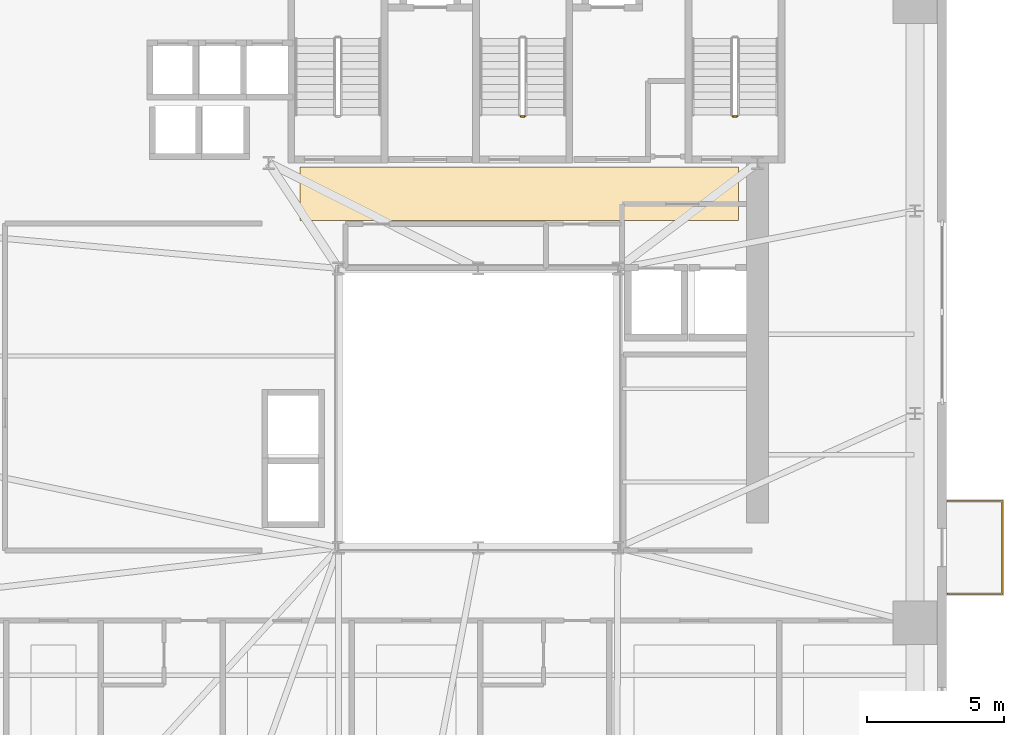
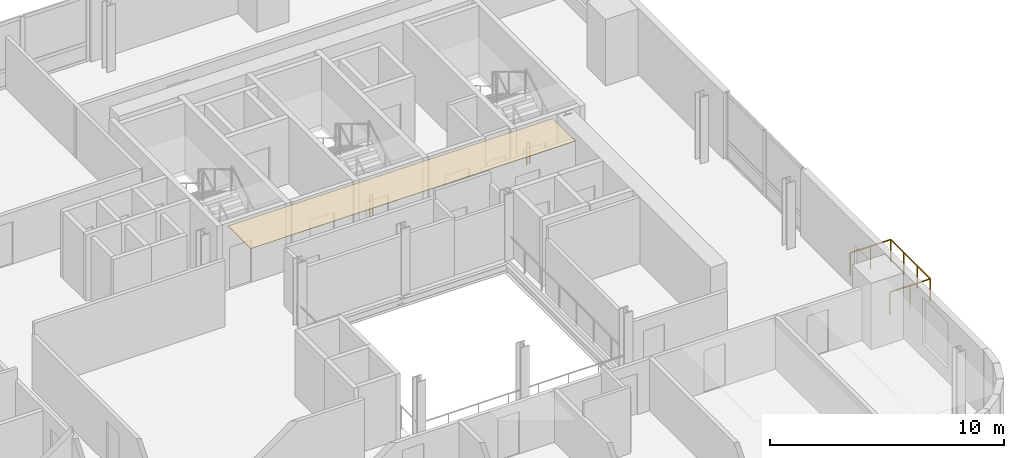
# One storey, part 12 of 14: 3 railings, 1 covering.
"""IFC4 building model written with IfcOpenShell, lengths in metres."""

import ifcopenshell
import ifcopenshell.guid

model = None  # the IFC model being written
_history = None  # IfcOwnerHistory: only IFC2X3 demands one
_inside = {}  # id of a spatial element -> (the spatial element, [elements in it])
_under = {}  # id of a project, library or spatial element -> (it, [spatial elements below it])
_declared = {}  # id of a project -> (the project, [libraries it declares])
_typed = {}  # id of a type object -> (the type object, [elements of that type])
_made_of = {}  # id of a material, layer set ... -> (it, [elements and type objects made of it])


def new_model(schema):
    """Start an empty IFC model of exactly this schema.

    Asked for "IFC4X3", IfcOpenShell would pick the latest addendum, in which some entities
    have other attributes; the version numbers below select the first issue.
    IFC2X3 requires an IfcOwnerHistory on every rooted entity: one is made here for all.
    """
    global model, _history
    if schema == "IFC4X3":
        model = ifcopenshell.file(schema_version=(4, 3, 0, 0))
    else:
        model = ifcopenshell.file(schema=schema)
    _inside.clear()
    _under.clear()
    _declared.clear()
    _typed.clear()
    _made_of.clear()
    _history = None
    if model.schema == "IFC2X3":
        org = make("IfcOrganization", Name="unknown")
        user = make(
            "IfcPersonAndOrganization",
            ThePerson=make("IfcPerson", FamilyName="unknown"),
            TheOrganization=org,
        )
        app = make(
            "IfcApplication",
            ApplicationDeveloper=org,
            Version="unknown",
            ApplicationFullName="unknown",
            ApplicationIdentifier="unknown",
        )
        _history = make(
            "IfcOwnerHistory",
            OwningUser=user,
            OwningApplication=app,
            ChangeAction="ADDED",
            CreationDate=0,
        )
    return model


def make(cls, **values):
    """One entity of the class cls with the attributes given. An attribute that is None is left unset."""
    return model.create_entity(
        cls, **{name: value for name, value in values.items() if value is not None}
    )


def rooted(cls, **values):
    """An entity with a GlobalId (a new one), such as an element, a storey or a relation."""
    return make(cls, GlobalId=ifcopenshell.guid.new(), OwnerHistory=_history, **values)


def si_unit(unit_type, name, prefix=None):
    """IfcSIUnit, for example si_unit("LENGTHUNIT", "METRE", prefix="MILLI")."""
    return make("IfcSIUnit", UnitType=unit_type, Prefix=prefix, Name=name)


def assignment(units):
    """IfcUnitAssignment: the units of a project."""
    return None if units is None else make("IfcUnitAssignment", Units=units)


def point(xyz):
    """IfcCartesianPoint."""
    return None if xyz is None else make("IfcCartesianPoint", Coordinates=xyz)


def direction(xyz):
    """IfcDirection."""
    return None if xyz is None else make("IfcDirection", DirectionRatios=xyz)


def frame(location, z_axis=None, x_axis=None):
    """IfcAxis2Placement3D, a coordinate frame: its origin and axes. An axis left out is left unset."""
    return make(
        "IfcAxis2Placement3D",
        Location=point(location),
        Axis=direction(z_axis),
        RefDirection=direction(x_axis),
    )


def frame_2d(location, x_axis=None):
    """IfcAxis2Placement2D, a coordinate frame in the plane: its origin and x axis."""
    return make(
        "IfcAxis2Placement2D", Location=point(location), RefDirection=direction(x_axis)
    )


def origin():
    """The frame at (0, 0, 0) with its axes left unset."""
    return frame((0.0, 0.0, 0.0))


def origin_2d():
    """The frame at (0, 0) in the plane with its x axis left unset."""
    return frame_2d((0.0, 0.0))


def place(relative_to, where):
    """IfcLocalPlacement: puts the frame where relative to a parent placement (None: the world)."""
    return make(
        "IfcLocalPlacement", PlacementRelTo=relative_to, RelativePlacement=where
    )


def context(
    kind, dimensions, precision=None, world=None, true_north=None, identifier=None
):
    """IfcGeometricRepresentationContext, for example the 3D "Model" context."""
    return make(
        "IfcGeometricRepresentationContext",
        ContextIdentifier=identifier,
        ContextType=kind,
        CoordinateSpaceDimension=dimensions,
        Precision=precision,
        WorldCoordinateSystem=world,
        TrueNorth=true_north,
    )


def subcontext(parent, identifier, kind, view, scale=None):
    """IfcGeometricRepresentationSubContext, for example "Body" below "Model"."""
    return make(
        "IfcGeometricRepresentationSubContext",
        ContextIdentifier=identifier,
        ContextType=kind,
        ParentContext=parent,
        TargetScale=scale,
        TargetView=view,
    )


def project(units=None, contexts=None):
    """IfcProject with its units and contexts."""
    return rooted(
        "IfcProject",
        Name="project",
        RepresentationContexts=contexts,
        UnitsInContext=assignment(units),
    )


def spatial(cls, under=None, at=None, **own):
    """A site, building, storey or space (cls), placed at a placement, below another one or the project."""
    s = rooted(cls, ObjectPlacement=at, **own)
    if under is not None:
        _under.setdefault(under.id(), (under, []))[1].append(s)
    return s


def polyline(points):
    """IfcPolyline through the points."""
    return make("IfcPolyline", Points=[point(p) for p in points])


def profile(cls, at=None, kind="AREA", **sizes):
    """A parametric profile (cls). Its sizes go by their IFC names, for example OverallWidth=200.0."""
    return make(cls, ProfileType=kind, Position=at, **sizes)


def rectangle(**sizes):
    """IfcRectangleProfileDef."""
    return profile("IfcRectangleProfileDef", **sizes)


def outline(outer, holes=None, kind="AREA"):
    """IfcArbitraryClosedProfileDef: a profile drawn as a closed curve; with holes, ...WithVoids."""
    if holes is None:
        return make("IfcArbitraryClosedProfileDef", ProfileType=kind, OuterCurve=outer)
    return make(
        "IfcArbitraryProfileDefWithVoids",
        ProfileType=kind,
        OuterCurve=outer,
        InnerCurves=holes,
    )


def extrude(swept, where, along, depth):
    """IfcExtrudedAreaSolid: the profile swept, set in the frame where, extruded along a direction by depth."""
    return make(
        "IfcExtrudedAreaSolid",
        SweptArea=swept,
        Position=where,
        ExtrudedDirection=direction(along),
        Depth=depth,
    )


def shape(context_of_items, identifier, shape_type, items):
    """IfcShapeRepresentation: the items that make up one representation, for example the "Body"."""
    return make(
        "IfcShapeRepresentation",
        ContextOfItems=context_of_items,
        RepresentationIdentifier=identifier,
        RepresentationType=shape_type,
        Items=items,
    )


def source(mapping_origin, context_of_items, identifier, shape_type, items):
    """IfcRepresentationMap: a shape defined once, which mapped items show again and again."""
    return make(
        "IfcRepresentationMap",
        MappingOrigin=mapping_origin,
        MappedRepresentation=shape(context_of_items, identifier, shape_type, items),
    )


def transform(
    local_origin,
    x_axis=None,
    y_axis=None,
    z_axis=None,
    scale=None,
    scale2=None,
    scale3=None,
    uniform=True,
):
    """IfcCartesianTransformationOperator3D, or its non-uniform kind. x_axis, y_axis, z_axis: its Axis1, 2, 3."""
    if uniform:
        return make(
            "IfcCartesianTransformationOperator3D",
            Axis1=direction(x_axis),
            Axis2=direction(y_axis),
            LocalOrigin=point(local_origin),
            Scale=scale,
            Axis3=direction(z_axis),
        )
    return make(
        "IfcCartesianTransformationOperator3DnonUniform",
        Axis1=direction(x_axis),
        Axis2=direction(y_axis),
        LocalOrigin=point(local_origin),
        Scale=scale,
        Axis3=direction(z_axis),
        Scale2=scale2,
        Scale3=scale3,
    )


def mapped(mapping_source, mapping_target):
    """IfcMappedItem: shows the shape of a source again, moved by a transform."""
    return make(
        "IfcMappedItem", MappingSource=mapping_source, MappingTarget=mapping_target
    )


def material(Name=None, Category=None):
    """IfcMaterial."""
    return make("IfcMaterial", Name=Name, Category=Category)


def layer(
    of_material, thickness, ventilated=None, Name=None, Category=None, Priority=None
):
    """IfcMaterialLayer: one layer of a wall or slab, of a material (None: an air gap)."""
    return make(
        "IfcMaterialLayer",
        Material=of_material,
        LayerThickness=thickness,
        IsVentilated=ventilated,
        Name=Name,
        Category=Category,
        Priority=Priority,
    )


def layer_set(layers, Name=None):
    """IfcMaterialLayerSet."""
    return make("IfcMaterialLayerSet", MaterialLayers=layers, LayerSetName=Name)


def made_of(thing, what):
    """Note that an element or type object is made of a material, layer set ...; save() writes the relation."""
    if what is not None:
        _made_of.setdefault(what.id(), (what, []))[1].append(thing)
    return thing


def type_object(cls, material=None, **own):
    """A type object (cls), such as IfcWallType, which elements share."""
    return made_of(rooted(cls, **own), material)


def element(
    cls,
    number,
    at=None,
    inside=None,
    cuts=None,
    type_object=None,
    material=None,
    context=None,
    identifier="Body",
    shape_type=None,
    held_by="IfcProductDefinitionShape",
    body=None,
    shapes=None,
    **own,
):
    """One element of the class cls, such as IfcWall. Its Tag is "e" and its number.

    at: its placement. inside: the storey or other place that contains it. cuts: it is an
    opening in that element (IfcRelVoidsElement). A single representation is given by context,
    identifier, shape_type and body (its items); several are given by shapes. held_by: the class
    of the entity that holds the representations. save() writes the other relations.
    """
    e = rooted(cls, Tag="e%d" % number, ObjectPlacement=at, **own)
    if body is not None:
        shapes = [shape(context, identifier, shape_type, body)]
    if shapes is not None:
        e.Representation = make(held_by, Representations=shapes)
    if inside is not None:
        _inside.setdefault(inside.id(), (inside, []))[1].append(e)
    if cuts is not None:
        rooted(
            "IfcRelVoidsElement", RelatingBuildingElement=cuts, RelatedOpeningElement=e
        )
    if type_object is not None:
        _typed.setdefault(type_object.id(), (type_object, []))[1].append(e)
    return made_of(e, material)


def aggregate(whole, parts):
    """IfcRelAggregates: a whole, such as a stair, and the parts it consists of."""
    return rooted("IfcRelAggregates", RelatingObject=whole, RelatedObjects=parts)


def save(model, path):
    """Write the relations noted so far, then the file.

    IfcRelAggregates (storeys below a building ...), IfcRelContainedInSpatialStructure (elements
    in a storey), IfcRelDefinesByType, IfcRelAssociatesMaterial and IfcRelDeclares: one each for
    every whole, place, type object, material and project.
    """
    for whole, parts in _under.values():
        aggregate(whole, parts)
    for where, things in _inside.values():
        rooted(
            "IfcRelContainedInSpatialStructure",
            RelatedElements=things,
            RelatingStructure=where,
        )
    for kind, things in _typed.values():
        rooted("IfcRelDefinesByType", RelatedObjects=things, RelatingType=kind)
    for what, things in _made_of.values():
        rooted("IfcRelAssociatesMaterial", RelatedObjects=things, RelatingMaterial=what)
    for by, libraries in _declared.values():
        rooted("IfcRelDeclares", RelatingContext=by, RelatedDefinitions=libraries)
    model.write(path)


model = new_model("IFC4")

# Units and contexts
model_context = context("Model", 3, precision=1e-05, world=origin(), true_north=direction((0.0, 1.0)))
body_context = subcontext(model_context, "Body", "Model", "MODEL_VIEW")
ifc_project = project(units=[si_unit("LENGTHUNIT", "METRE"), si_unit("AREAUNIT", "SQUARE_METRE"), si_unit("VOLUMEUNIT", "CUBIC_METRE"), si_unit("PLANEANGLEUNIT", "RADIAN"), si_unit("MASSUNIT", "GRAM", prefix="KILO")], contexts=[model_context])

# Site, building, storey
site_placement = place(None, origin())
site = spatial("IfcSite", under=ifc_project, at=site_placement, CompositionType="ELEMENT")
building_placement = place(site_placement, origin())
building = spatial("IfcBuilding", under=site, at=building_placement, Name="Vardaveli Station Tower", CompositionType="ELEMENT")
storey_placement = place(building_placement, frame((0.0, 0.0, 152.0)))
storey = spatial("IfcBuildingStorey", under=building, at=storey_placement, Name="L39", CompositionType="ELEMENT", Elevation=152.0)

# Covering
ifc_material_1 = material(Name="Perforated acoustic mineral ceiling")
ifc_layer = layer(ifc_material_1, 0.02001953125, Name="Perforated acoustic mineral ceiling")
ifc_layer_set = layer_set([ifc_layer], Name="Perforated acoustic mineral ceiling")
covering_type = type_object("IfcCoveringType", Name="COV-CEIL-AC20", PredefinedType="CEILING", material=ifc_layer_set)
covering_placement = place(storey_placement, frame((0.0, 0.0, 3.445068359375)))
element("IfcCovering", 1, at=covering_placement, inside=storey, type_object=covering_type, Name="CEIL-L39-7", PredefinedType="CEILING", context=body_context, shape_type="SweptSolid", body=[
    extrude(outline(polyline([(29.800048828125, 28.550048828125), (45.800048828125, 28.550048828125), (45.800048828125, 30.5), (29.800048828125, 30.5), (29.800048828125, 28.550048828125)])), origin(), (0.0, 0.0, 1.0), 0.02001953125),
])

# Railings
ifc_material_2 = material(Name="Laminated glass and stainless steel balustrade", Category="steel")
railing_type_1 = type_object("IfcRailingType", Name="RL-BAL-1200", PredefinedType="BALUSTRADE", material=ifc_material_2)
shared_shape_1 = source(origin(), body_context, "Body", "SweptSolid", [
    extrude(rectangle(XDim=0.048095703125, YDim=0.048095703125, at=origin_2d()), frame((0.0, 0.0, 1.17578125), z_axis=(1.0, 0.0, 0.0), x_axis=(0.0, 1.0, 0.0)), (0.0, 0.0, 1.0), 2.0),
    extrude(rectangle(XDim=0.048095703125, YDim=0.048095703125, at=origin_2d()), frame((2.0, 0.0, 1.17578125), z_axis=(0.0, 1.0, 0.0), x_axis=(-1.0, 0.0, 0.0)), (0.0, 0.0, 1.0), 3.3798828125),
    extrude(rectangle(XDim=0.048095703125, YDim=0.048095703125, at=origin_2d()), frame((2.0, 3.3798828125, 1.17578125), z_axis=(-1.0, 0.0, 0.0), x_axis=(0.0, -1.0, 0.0)), (0.0, 0.0, 1.0), 2.0),
    extrude(rectangle(XDim=0.0419921875, YDim=0.0419921875, at=origin_2d()), origin(), (0.0, 0.0, 1.0), 1.15185546875),
    extrude(rectangle(XDim=0.0419921875, YDim=0.0419921875, at=origin_2d()), frame((1.0, 0.0, 0.0)), (0.0, 0.0, 1.0), 1.15185546875),
    extrude(rectangle(XDim=0.0419921875, YDim=0.0419921875, at=origin_2d()), frame((2.0, 0.0, 0.0)), (0.0, 0.0, 1.0), 1.15185546875),
    extrude(rectangle(XDim=0.0419921875, YDim=0.0419921875, at=origin_2d()), frame((2.0, 1.126708984375, 0.0)), (0.0, 0.0, 1.0), 1.15185546875),
    extrude(rectangle(XDim=0.0419921875, YDim=0.0419921875, at=origin_2d()), frame((2.0, 2.253173828125, 0.0)), (0.0, 0.0, 1.0), 1.15185546875),
    extrude(rectangle(XDim=0.0419921875, YDim=0.0419921875, at=origin_2d()), frame((2.0, 3.3798828125, 0.0)), (0.0, 0.0, 1.0), 1.15185546875),
    extrude(rectangle(XDim=0.0419921875, YDim=0.0419921875, at=origin_2d()), frame((1.0, 3.3798828125, 0.0)), (0.0, 0.0, 1.0), 1.15185546875),
    extrude(rectangle(XDim=0.0419921875, YDim=0.0419921875, at=origin_2d()), frame((0.0, 3.3798828125, 0.0)), (0.0, 0.0, 1.0), 1.15185546875),
])
railing_placement = place(storey_placement, frame((53.43994140625, 14.92041015625, 0.0)))
element("IfcRailing", 2, at=railing_placement, inside=storey, type_object=railing_type_1, Name="RL-LOG-L39-04", PredefinedType="BALUSTRADE", context=body_context, shape_type="MappedRepresentation", body=[
    mapped(shared_shape_1, transform((0.0, 0.0, 0.0), scale=1.0)),
])
ifc_material_3 = material(Name="Brushed AISI 316 stainless steel", Category="steel")
railing_type_2 = type_object("IfcRailingType", Name="RL-GUARD-1150", PredefinedType="GUARDRAIL", material=ifc_material_3)
shared_shape_2 = source(origin(), body_context, "Body", "SweptSolid", [
    extrude(rectangle(XDim=0.048095703125, YDim=0.048095703125, at=origin_2d()), frame((0.0, 0.0, 1.1259765625), z_axis=(-1.0, 0.0, 0.0), x_axis=(0.0, -1.0, 0.0)), (0.0, 0.0, 1.0), 0.14990234375),
    extrude(rectangle(XDim=0.0419921875, YDim=0.0419921875, at=origin_2d()), origin(), (0.0, 0.0, 1.0), 1.101806640625),
    extrude(rectangle(XDim=0.0419921875, YDim=0.0419921875, at=origin_2d()), frame((-0.14990234375, 0.0, 0.0)), (0.0, 0.0, 1.0), 1.101806640625),
])
for number, where, name in (
    (3, (38.0, 32.35009765625, 0.0), "L39 ST-2 stair guard 4"),
    (4, (45.75, 32.35009765625, 0.0), "L39 ST-3 stair guard 4"),
):
    element("IfcRailing", number, at=place(storey_placement, frame(where)), inside=storey, type_object=railing_type_2, Name=name, PredefinedType="GUARDRAIL", context=body_context, shape_type="MappedRepresentation", body=[
        mapped(shared_shape_2, transform((0.0, 0.0, 0.0), scale=1.0)),
    ])

save(model, "model.ifc")
